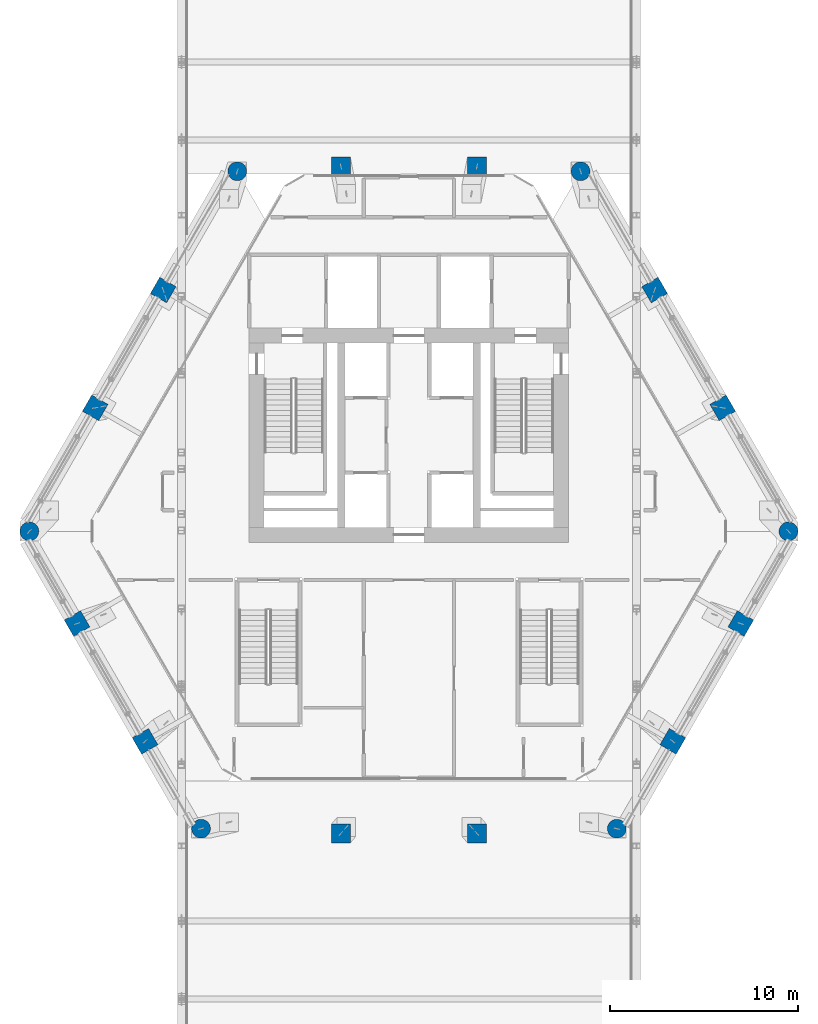
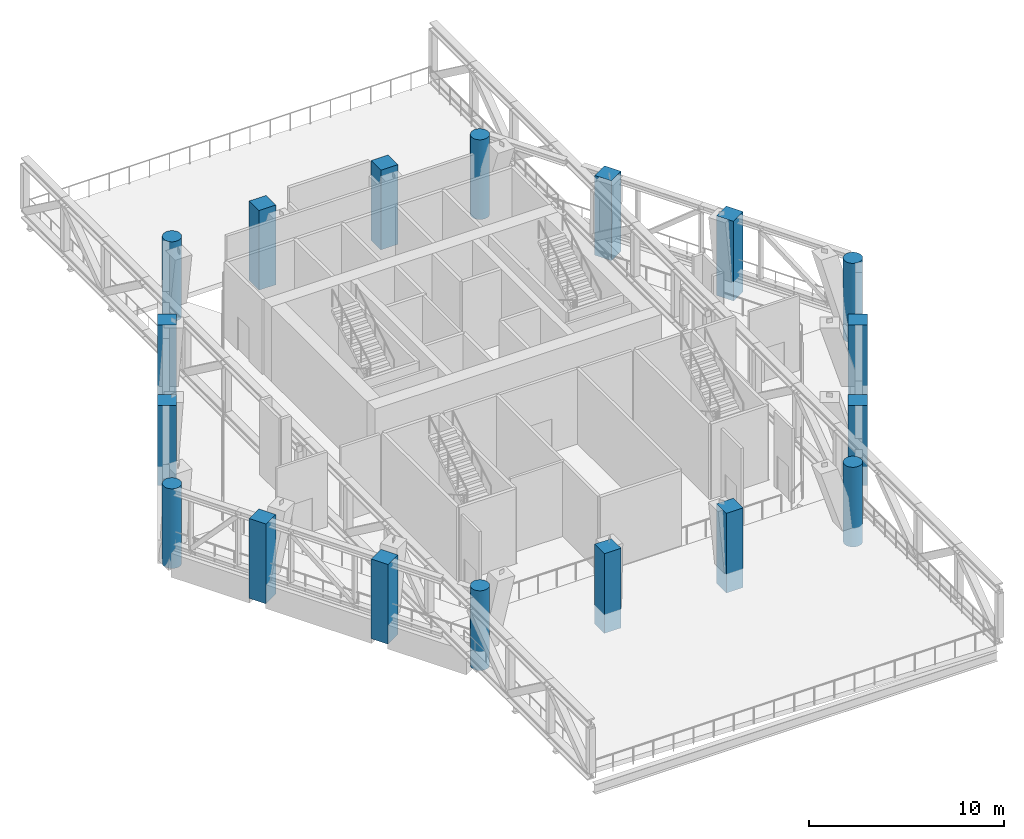
# One storey, part 1 of 22: 18 columns.
"""IFC4 building model written with IfcOpenShell, lengths in metres."""

from ifc_helpers import new_model, si_unit, direction, frame, origin, origin_2d, place, context, subcontext, project, spatial, rectangle, circle, extrude, material, material_profile, profile_set, type_object, element, save


model = new_model("IFC4")

# Units and contexts
model_context = context("Model", 3, precision=1e-05, world=origin(), true_north=direction((0.0, 1.0)))
body_context = subcontext(model_context, "Body", "Model", "MODEL_VIEW")
ifc_project = project(units=[si_unit("LENGTHUNIT", "METRE"), si_unit("AREAUNIT", "SQUARE_METRE"), si_unit("VOLUMEUNIT", "CUBIC_METRE"), si_unit("PLANEANGLEUNIT", "RADIAN"), si_unit("MASSUNIT", "GRAM", prefix="KILO")], contexts=[model_context])

# Site, building, storey
site_placement = place(None, origin())
site = spatial("IfcSite", under=ifc_project, at=site_placement, CompositionType="ELEMENT")
building_placement = place(site_placement, origin())
building = spatial("IfcBuilding", under=site, at=building_placement, Name="Ostrander Bayou Hotel Tower", CompositionType="ELEMENT")
storey_placement = place(building_placement, frame((0.0, 0.0, 209.5)))
storey = spatial("IfcBuildingStorey", under=building, at=storey_placement, Name="L52", CompositionType="ELEMENT", Elevation=209.5)

# Columns
ifc_material_1 = material(Name="Concrete f'c 60 MPa", Category="concrete")
ifc_material_profile_1 = material_profile(ifc_material_1, circle(Radius=0.5, at=origin_2d()))
ifc_profile_set_1 = profile_set([ifc_material_profile_1], Name="Concrete f'c 60 MPa")
column_type_1 = type_object("IfcColumnType", Name="C5 round column 1000 mm f'c 60 MPa", PredefinedType="COLUMN", material=ifc_profile_set_1)
for number, where, z_axis, x_axis, name in (
    (1, (-9.133544921875, 18.04541015625, -1.199951171875), (0.0, 0.0, 1.0), (1.0, 0.0, 0.0), "C5 L52 K0"),
    (2, (-20.194580078125, -1.11279296875, -1.199951171875), (0.0, 0.0, 1.0), (1.0, 0.0, 0.0), "C5 L52 K1"),
    (3, (-11.06103515625, -16.9326171875, -1.199951171875), (0.0, 0.0, 1.0), (1.0, 0.0, 0.0), "C5 L52 K2"),
    (4, (11.06103515625, -16.9326171875, -1.199951171875), (0.0, 0.0, 1.0), (1.0, 0.0, 0.0), "C5 L52 K3"),
    (5, (20.194580078125, -1.11279296875, -1.199951171875), (0.0, 0.0, 1.0), (1.0, 0.0, 0.0), "C5 L52 K4"),
    (6, (9.133544921875, 18.04541015625, -1.199951171875), (0.0, 0.0, 1.0), (1.0, 0.0, 0.0), "C5 L52 K5"),
):
    element("IfcColumn", number, at=place(storey_placement, frame(where, z_axis=z_axis, x_axis=x_axis)), inside=storey, type_object=column_type_1, Name=name, PredefinedType="COLUMN", context=body_context, shape_type="SweptSolid", body=[
        extrude(circle(Radius=0.5, at=origin_2d()), origin(), (0.0, 0.0, 1.0), 5.0),
    ])
ifc_material_2 = material(Name="Concrete f'c 60 MPa", Category="concrete")
ifc_material_profile_2 = material_profile(ifc_material_2, rectangle(XDim=1.0, YDim=1.0, at=origin_2d()))
ifc_profile_set_2 = profile_set([ifc_material_profile_2], Name="Concrete f'c 60 MPa")
column_type_2 = type_object("IfcColumnType", Name="C6 square column 1000 x 1000 mm f'c 60 MPa", PredefinedType="COLUMN", material=ifc_profile_set_2)
for number, where, z_axis, x_axis, name in (
    (7, (3.6181640625, 18.300048828125, -1.199951171875), (0.0, 0.0, 1.0), (1.0, 0.0, 0.0), "C6 L52 N1"),
    (8, (-3.6181640625, 18.300048828125, -1.199951171875), (0.0, 0.0, 1.0), (1.0, 0.0, 0.0), "C6 L52 N2"),
    (9, (-13.075439453125, 11.726806640625, -1.199951171875), (0.0, 0.0, 1.0), (0.5, 0.866025403784, 0.0), "C6 L52 NW1"),
    (10, (-16.693603515625, 5.460205078125, -1.199951171875), (0.0, 0.0, 1.0), (0.5, 0.866025403784, 0.0), "C6 L52 NW2"),
    (11, (-17.6572265625, -6.0166015625, -1.199951171875), (0.0, 0.0, 1.0), (-0.5, 0.866025403784, 0.0), "C6 L52 SW1"),
    (12, (-14.039306640625, -12.283203125, -1.199951171875), (0.0, 0.0, 1.0), (-0.5, 0.866025403784, 0.0), "C6 L52 SW2"),
    (13, (-3.6181640625, -17.187255859375, -1.199951171875), (0.0, 0.0, 1.0), (-1.0, 0.0, 0.0), "C6 L52 S1"),
    (14, (3.6181640625, -17.187255859375, -1.199951171875), (0.0, 0.0, 1.0), (-1.0, 0.0, 0.0), "C6 L52 S2"),
    (15, (14.039306640625, -12.283203125, -1.199951171875), (0.0, 0.0, 1.0), (-0.5, -0.866025403784, 0.0), "C6 L52 SE1"),
    (16, (17.6572265625, -6.0166015625, -1.199951171875), (0.0, 0.0, 1.0), (-0.5, -0.866025403784, 0.0), "C6 L52 SE2"),
    (17, (16.693603515625, 5.460205078125, -1.199951171875), (0.0, 0.0, 1.0), (0.5, -0.866025403784, 0.0), "C6 L52 NE1"),
    (18, (13.075439453125, 11.726806640625, -1.199951171875), (0.0, 0.0, 1.0), (0.5, -0.866025403784, 0.0), "C6 L52 NE2"),
):
    element("IfcColumn", number, at=place(storey_placement, frame(where, z_axis=z_axis, x_axis=x_axis)), inside=storey, type_object=column_type_2, Name=name, PredefinedType="COLUMN", context=body_context, shape_type="SweptSolid", body=[
        extrude(rectangle(XDim=1.0, YDim=1.0, at=origin_2d()), origin(), (0.0, 0.0, 1.0), 5.0),
    ])

save(model, "model.ifc")
